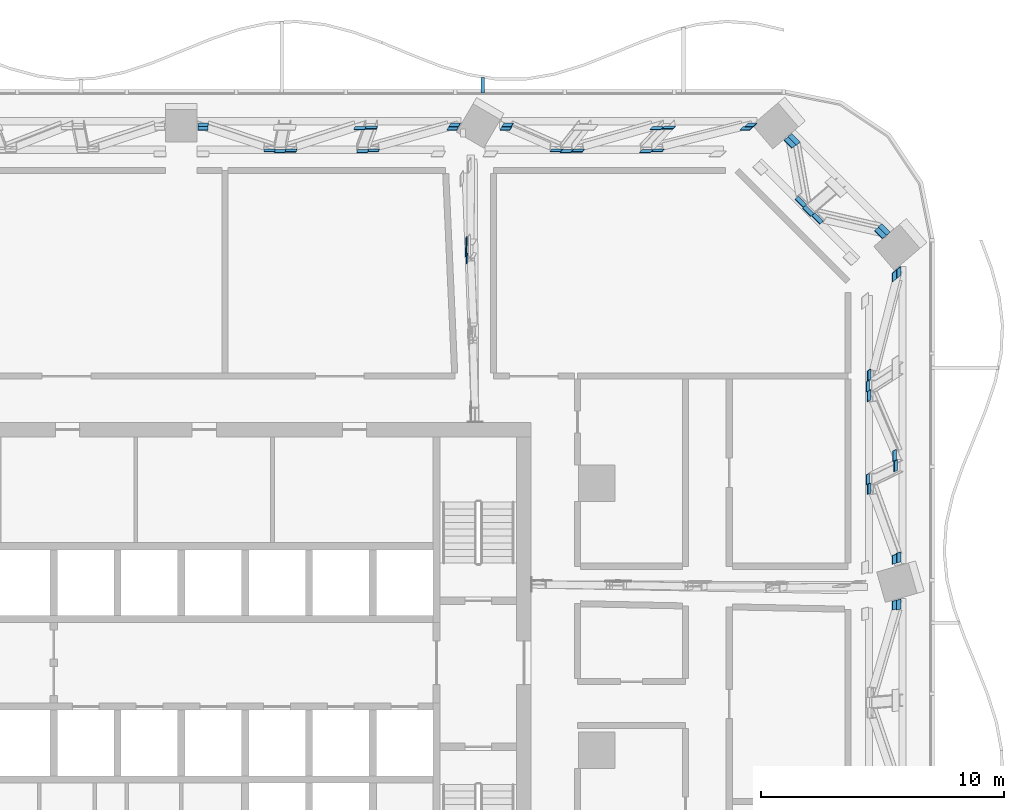
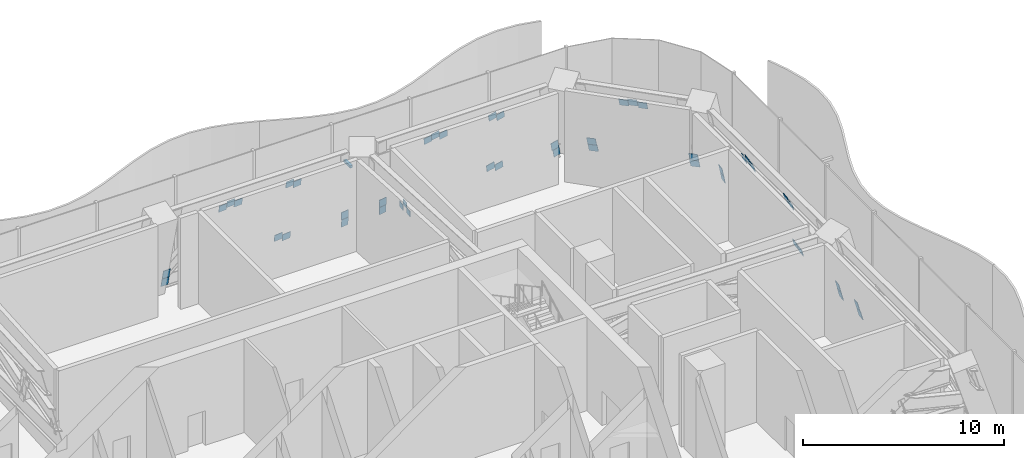
# One storey, part 25 of 32: 46 discrete accessories.
"""IFC4 building model written with IfcOpenShell, lengths in metres."""

from ifc_helpers import new_model, si_unit, direction, frame, origin, origin_2d, place, context, subcontext, project, spatial, rectangle, extrude, material, layer, layer_set, type_object, element, save


model = new_model("IFC4")

# Units and contexts
model_context = context("Model", 3, precision=1e-05, world=origin(), true_north=direction((0.0, 1.0)))
body_context = subcontext(model_context, "Body", "Model", "MODEL_VIEW")
ifc_project = project(units=[si_unit("LENGTHUNIT", "METRE"), si_unit("AREAUNIT", "SQUARE_METRE"), si_unit("VOLUMEUNIT", "CUBIC_METRE"), si_unit("PLANEANGLEUNIT", "RADIAN"), si_unit("MASSUNIT", "GRAM", prefix="KILO")], contexts=[model_context])

# Site, building, storey
site_placement = place(None, origin())
site = spatial("IfcSite", under=ifc_project, at=site_placement, CompositionType="ELEMENT")
building_placement = place(site_placement, origin())
building = spatial("IfcBuilding", under=site, at=building_placement, Name="Mopane Tessera Tower", CompositionType="ELEMENT")
storey_placement = place(building_placement, frame((0.0, 0.0, 88.60009765625)))
storey = spatial("IfcBuildingStorey", under=building, at=storey_placement, Name="L17", CompositionType="ELEMENT", Elevation=88.60009765625)

# Discrete accessories
ifc_material_1 = material(Name="Stainless steel S316", Category="steel")
discrete_accessory_type_1 = type_object("IfcDiscreteAccessoryType", Name="Louvre bracket 150 x 150", PredefinedType="BRACKET", material=ifc_material_1)
discrete_accessory_1_placement = place(storey_placement, frame((12.39990234375, 27.377685546875, 2.489990234375), z_axis=(0.0, 0.0, 1.0), x_axis=(0.0, 1.0, 0.0)))
element("IfcDiscreteAccessory", 1, at=discrete_accessory_1_placement, inside=storey, type_object=discrete_accessory_type_1, Name="e:lv:L17:N:0:br1", PredefinedType="BRACKET", context=body_context, shape_type="SweptSolid", body=[
    extrude(rectangle(XDim=0.635498046875, YDim=0.14990234375, at=origin_2d()), origin(), (0.0, 0.0, 1.0), 0.14990234375),
])
ifc_material_2 = material(Name="Structural steel S460", Category="steel")
ifc_layer = layer(ifc_material_2, 0.030029296875)
ifc_layer_set = layer_set([ifc_layer], Name="Structural steel S460")
discrete_accessory_type_2 = type_object("IfcDiscreteAccessoryType", Name="Truss node plate 30 mm", PredefinedType="BRACKET", material=ifc_layer_set)
discrete_accessory_2_placement = place(storey_placement, frame((11.7666015625, 20.266357421875, 3.978515625), z_axis=(-0.084815192245, -0.144838251373, 0.985813503713), x_axis=(-0.996386637709, 0.007882450032, -0.084566749831)))
element("IfcDiscreteAccessory", 2, at=discrete_accessory_2_placement, inside=storey, type_object=discrete_accessory_type_2, Name="Truss node plate s ot L17 N1 7", PredefinedType="BRACKET", context=body_context, shape_type="SweptSolid", body=[
    extrude(rectangle(XDim=0.030029296875, YDim=0.368896484375, at=origin_2d()), origin(), (0.0, 0.0, 1.0), 0.374267578125),
])
discrete_accessory_3_placement = place(storey_placement, frame((11.72412109375, 20.552490234375, 4.357421875), z_axis=(-0.088605346701, -0.151801807216, 0.984431462247), x_axis=(-0.996049690912, 0.0077087449, -0.088462356322)))
element("IfcDiscreteAccessory", 3, at=discrete_accessory_3_placement, inside=storey, type_object=discrete_accessory_type_2, Name="Truss node plate s ot L17 N1 9", PredefinedType="BRACKET", context=body_context, shape_type="SweptSolid", body=[
    extrude(rectangle(XDim=0.030029296875, YDim=0.368896484375, at=origin_2d()), origin(), (0.0, 0.0, 1.0), 0.374755859375),
])
discrete_accessory_4_placement = place(storey_placement, frame((11.750732421875, 20.94677734375, 3.9736328125), z_axis=(-0.092868037323, -0.159294480686, 0.982853395002), x_axis=(-0.99565789931, 0.00851885629, -0.092697230969)))
element("IfcDiscreteAccessory", 4, at=discrete_accessory_4_placement, inside=storey, type_object=discrete_accessory_type_2, Name="Truss node plate s ot L17 N1 10", PredefinedType="BRACKET", context=body_context, shape_type="SweptSolid", body=[
    extrude(rectangle(XDim=0.030029296875, YDim=0.3720703125, at=origin_2d()), origin(), (0.0, 0.0, 1.0), 0.378662109375),
])
discrete_accessory_5_placement = place(storey_placement, frame((29.599365234375, 6.01806640625, 0.117431640625), z_axis=(-0.279509732978, -0.068665685847, 0.95768435967), x_axis=(-0.960142816393, 0.020285656239, -0.278772782532)))
element("IfcDiscreteAccessory", 5, at=discrete_accessory_5_placement, inside=storey, type_object=discrete_accessory_type_2, Name="Truss node plate s bt L17 E1-E2 12", PredefinedType="BRACKET", context=body_context, shape_type="SweptSolid", body=[
    extrude(rectangle(XDim=0.030029296875, YDim=0.403564453125, at=origin_2d()), origin(), (0.0, 0.0, 1.0), 0.6044921875),
])
discrete_accessory_6_placement = place(storey_placement, frame((29.427490234375, 5.997314453125, 0.706298828125), z_axis=(-0.279393886163, -0.06904097476, 0.957691182051), x_axis=(-0.960176546557, 0.019844248642, -0.278688365809)))
element("IfcDiscreteAccessory", 6, at=discrete_accessory_6_placement, inside=storey, type_object=discrete_accessory_type_2, Name="Truss node plate s bt L17 E1-E2 13", PredefinedType="BRACKET", context=body_context, shape_type="SweptSolid", body=[
    extrude(rectangle(XDim=0.030029296875, YDim=0.360595703125, at=origin_2d()), origin(), (0.0, 0.0, 1.0), 0.604736328125),
])
discrete_accessory_7_placement = place(storey_placement, frame((29.427978515625, 7.888916015625, 0.704345703125), z_axis=(-0.278788808288, -0.090494766009, 0.956079231915), x_axis=(-0.960352428845, 0.026387708143, -0.277537207004)))
element("IfcDiscreteAccessory", 7, at=discrete_accessory_7_placement, inside=storey, type_object=discrete_accessory_type_2, Name="Truss node plate s bt L17 E2-E3 0", PredefinedType="BRACKET", context=body_context, shape_type="SweptSolid", body=[
    extrude(rectangle(XDim=0.030029296875, YDim=0.367919921875, at=origin_2d()), origin(), (0.0, 0.0, 1.0), 0.6015625),
])
discrete_accessory_8_placement = place(storey_placement, frame((29.5986328125, 7.962158203125, 0.119384765625), z_axis=(-0.278886741167, -0.09093250367, 0.956009134568), x_axis=(-0.960323839916, 0.025832219806, -0.277688348529)))
element("IfcDiscreteAccessory", 8, at=discrete_accessory_8_placement, inside=storey, type_object=discrete_accessory_type_2, Name="Truss node plate s bt L17 E2-E3 1", PredefinedType="BRACKET", context=body_context, shape_type="SweptSolid", body=[
    extrude(rectangle(XDim=0.030029296875, YDim=0.403564453125, at=origin_2d()), origin(), (0.0, 0.0, 1.0), 0.601318359375),
])
discrete_accessory_9_placement = place(storey_placement, frame((28.36669921875, 10.79736328125, 4.34326171875), z_axis=(-0.277432944586, -0.128962970335, 0.952050163353), x_axis=(-0.960745001671, 0.037183736039, -0.27492983021)))
element("IfcDiscreteAccessory", 9, at=discrete_accessory_9_placement, inside=storey, type_object=discrete_accessory_type_2, Name="Truss node plate s bt L17 E2-E3 3", PredefinedType="BRACKET", context=body_context, shape_type="SweptSolid", body=[
    extrude(rectangle(XDim=0.030029296875, YDim=0.428955078125, at=origin_2d()), origin(), (0.0, 0.0, 1.0), 0.450439453125),
])
discrete_accessory_10_placement = place(storey_placement, frame((29.460205078125, 11.74365234375, 0.59423828125), z_axis=(-0.277605226715, -0.134308052544, 0.951260576878), x_axis=(-0.96069482417, 0.037892234795, -0.275008424153)))
element("IfcDiscreteAccessory", 10, at=discrete_accessory_10_placement, inside=storey, type_object=discrete_accessory_type_2, Name="Truss node plate s bt L17 E2-E3 4", PredefinedType="BRACKET", context=body_context, shape_type="SweptSolid", body=[
    extrude(rectangle(XDim=0.030029296875, YDim=0.439208984375, at=origin_2d()), origin(), (0.0, 0.0, 1.0), 0.461669921875),
])
discrete_accessory_11_placement = place(storey_placement, frame((28.314697265625, 11.190673828125, 4.521484375), z_axis=(-0.277235213041, -0.134285806317, 0.951371619753), x_axis=(-0.960801201907, 0.037408951728, -0.274702786197)))
element("IfcDiscreteAccessory", 11, at=discrete_accessory_11_placement, inside=storey, type_object=discrete_accessory_type_2, Name="Truss node plate s bt L17 E2-E3 5", PredefinedType="BRACKET", context=body_context, shape_type="SweptSolid", body=[
    extrude(rectangle(XDim=0.030029296875, YDim=0.428955078125, at=origin_2d()), origin(), (0.0, 0.0, 1.0), 0.450927734375),
])
discrete_accessory_12_placement = place(storey_placement, frame((29.411376953125, 12.16748046875, 0.761474609375), z_axis=(-0.277424823671, -0.138976625953, 0.950642395778), x_axis=(-0.960747335745, 0.04029058933, -0.274483561019)))
element("IfcDiscreteAccessory", 12, at=discrete_accessory_12_placement, inside=storey, type_object=discrete_accessory_type_2, Name="Truss node plate s bt L17 E2-E3 6", PredefinedType="BRACKET", context=body_context, shape_type="SweptSolid", body=[
    extrude(rectangle(XDim=0.030029296875, YDim=0.439208984375, at=origin_2d()), origin(), (0.0, 0.0, 1.0), 0.4619140625),
])
discrete_accessory_13_placement = place(storey_placement, frame((28.364990234375, 14.63818359375, 4.34912109375), z_axis=(-0.275873409374, -0.173931616196, 0.945326216122), x_axis=(-0.961193930353, 0.049612922899, -0.271375728714)))
element("IfcDiscreteAccessory", 13, at=discrete_accessory_13_placement, inside=storey, type_object=discrete_accessory_type_2, Name="Truss node plate s bt L17 E2-E3 7", PredefinedType="BRACKET", context=body_context, shape_type="SweptSolid", body=[
    extrude(rectangle(XDim=0.030029296875, YDim=0.439208984375, at=origin_2d()), origin(), (0.0, 0.0, 1.0), 0.464599609375),
])
discrete_accessory_14_placement = place(storey_placement, frame((28.314697265625, 15.03369140625, 4.521484375), z_axis=(-0.275249643643, -0.17901978776, 0.944557859141), x_axis=(-0.961371923529, 0.04993885159, -0.270684568735)))
element("IfcDiscreteAccessory", 14, at=discrete_accessory_14_placement, inside=storey, type_object=discrete_accessory_type_2, Name="Truss node plate s bt L17 E2-E3 9", PredefinedType="BRACKET", context=body_context, shape_type="SweptSolid", body=[
    extrude(rectangle(XDim=0.030029296875, YDim=0.428955078125, at=origin_2d()), origin(), (0.0, 0.0, 1.0), 0.4541015625),
])
discrete_accessory_15_placement = place(storey_placement, frame((28.36669921875, 15.485595703125, 4.34326171875), z_axis=(-0.275008328131, -0.183696969181, 0.943729751026), x_axis=(-0.961441359005, 0.05155821215, -0.27013378899)))
element("IfcDiscreteAccessory", 15, at=discrete_accessory_15_placement, inside=storey, type_object=discrete_accessory_type_2, Name="Truss node plate s bt L17 E2-E3 10", PredefinedType="BRACKET", context=body_context, shape_type="SweptSolid", body=[
    extrude(rectangle(XDim=0.030029296875, YDim=0.428955078125, at=origin_2d()), origin(), (0.0, 0.0, 1.0), 0.45458984375),
])
discrete_accessory_16_placement = place(storey_placement, frame((29.5986328125, 19.73046875, 0.119384765625), z_axis=(-0.273167835843, -0.220283815221, 0.936405026798), x_axis=(-0.961966388342, 0.062588078691, -0.265901109637)))
element("IfcDiscreteAccessory", 16, at=discrete_accessory_16_placement, inside=storey, type_object=discrete_accessory_type_2, Name="Truss node plate s bt L17 E2-E3 12", PredefinedType="BRACKET", context=body_context, shape_type="SweptSolid", body=[
    extrude(rectangle(XDim=0.030029296875, YDim=0.37158203125, at=origin_2d()), origin(), (0.0, 0.0, 1.0), 0.614013671875),
])
discrete_accessory_17_placement = place(storey_placement, frame((29.427978515625, 19.5947265625, 0.704345703125), z_axis=(-0.273066160465, -0.220201823723, 0.936453965146), x_axis=(-0.961995249969, 0.062611506351, -0.265791155437)))
element("IfcDiscreteAccessory", 17, at=discrete_accessory_17_placement, inside=storey, type_object=discrete_accessory_type_2, Name="Truss node plate s bt L17 E2-E3 13", PredefinedType="BRACKET", context=body_context, shape_type="SweptSolid", body=[
    extrude(rectangle(XDim=0.030029296875, YDim=0.367919921875, at=origin_2d()), origin(), (0.0, 0.0, 1.0), 0.6142578125),
])
discrete_accessory_18_placement = place(storey_placement, frame((28.847900390625, 21.35205078125, 0.673095703125), z_axis=(-0.272474209673, -0.233358825576, 0.933435302305), x_axis=(-0.65314566036, -0.667510467534, -0.35753394536)))
element("IfcDiscreteAccessory", 18, at=discrete_accessory_18_placement, inside=storey, type_object=discrete_accessory_type_2, Name="Truss node plate s bt L17 E3-N0 0", PredefinedType="BRACKET", context=body_context, shape_type="SweptSolid", body=[
    extrude(rectangle(XDim=0.030029296875, YDim=0.468505859375, at=origin_2d()), origin(), (0.0, 0.0, 1.0), 0.54931640625),
])
discrete_accessory_19_placement = place(storey_placement, frame((28.99267578125, 21.490234375, 0.150634765625), z_axis=(-0.272062642078, -0.23338707041, 0.933548281639), x_axis=(-0.652692412918, -0.668110469881, -0.357240834949)))
element("IfcDiscreteAccessory", 19, at=discrete_accessory_19_placement, inside=storey, type_object=discrete_accessory_type_2, Name="Truss node plate s bt L17 E3-N0 1", PredefinedType="BRACKET", context=body_context, shape_type="SweptSolid", body=[
    extrude(rectangle(XDim=0.030029296875, YDim=0.489990234375, at=origin_2d()), origin(), (0.0, 0.0, 1.0), 0.549072265625),
])
for number, where, z_axis, x_axis, name in (
    (20, (26.25048828125, 21.941162109375, 4.380615234375), (-0.272022378243, -0.233501726779, 0.933531343516), (-0.652468533197, -0.668305609361, -0.357284796324), "Truss node plate s bt L17 E3-N0 3"),
    (21, (25.870849609375, 22.25830078125, 4.496337890625), (-0.272022378243, -0.233501726779, 0.933531343516), (-0.652468533197, -0.668305609361, -0.357284796324), "Truss node plate s bt L17 E3-N0 5"),
    (22, (25.55859375, 22.633056640625, 4.380615234375), (-0.27246266647, -0.233471499541, 0.933410496128), (-0.652953692211, -0.667663805199, -0.357598264895), "Truss node plate s bt L17 E3-N0 6"),
):
    element("IfcDiscreteAccessory", number, at=place(storey_placement, frame(where, z_axis=z_axis, x_axis=x_axis)), inside=storey, type_object=discrete_accessory_type_2, Name=name, PredefinedType="BRACKET", context=body_context, shape_type="SweptSolid", body=[
        extrude(rectangle(XDim=0.030029296875, YDim=0.479248046875, at=origin_2d()), origin(), (0.0, 0.0, 1.0), 0.513427734375),
    ])
discrete_accessory_20_placement = place(storey_placement, frame((25.283935546875, 25.198974609375, 0.150634765625), z_axis=(-0.272062642078, -0.23338707041, 0.933548281639), x_axis=(-0.652692412918, -0.668110469881, -0.357240834949)))
element("IfcDiscreteAccessory", 23, at=discrete_accessory_20_placement, inside=storey, type_object=discrete_accessory_type_2, Name="Truss node plate s bt L17 E3-N0 7", PredefinedType="BRACKET", context=body_context, shape_type="SweptSolid", body=[
    extrude(rectangle(XDim=0.030029296875, YDim=0.489990234375, at=origin_2d()), origin(), (0.0, 0.0, 1.0), 0.549072265625),
])
discrete_accessory_21_placement = place(storey_placement, frame((25.1240234375, 25.075927734375, 0.673095703125), z_axis=(-0.272062642078, -0.23338707041, 0.933548281639), x_axis=(-0.652692412918, -0.668110469881, -0.357240834949)))
element("IfcDiscreteAccessory", 24, at=discrete_accessory_21_placement, inside=storey, type_object=discrete_accessory_type_2, Name="Truss node plate s bt L17 E3-N0 9", PredefinedType="BRACKET", context=body_context, shape_type="SweptSolid", body=[
    extrude(rectangle(XDim=0.030029296875, YDim=0.468505859375, at=origin_2d()), origin(), (0.0, 0.0, 1.0), 0.549072265625),
])
discrete_accessory_22_placement = place(storey_placement, frame((23.514892578125, 25.80029296875, 0.1328125), z_axis=(-0.259580929663, -0.234123635918, 0.936911876357), x_axis=(0.062172614904, -0.972206771361, -0.225717876287)))
element("IfcDiscreteAccessory", 25, at=discrete_accessory_22_placement, inside=storey, type_object=discrete_accessory_type_2, Name="Truss node plate s bt L17 N0-N1 0", PredefinedType="BRACKET", context=body_context, shape_type="SweptSolid", body=[
    extrude(rectangle(XDim=0.030029296875, YDim=0.372314453125, at=origin_2d()), origin(), (0.0, 0.0, 1.0), 0.5849609375),
])
discrete_accessory_23_placement = place(storey_placement, frame((23.33837890625, 25.66064453125, 0.69091796875), z_axis=(-0.259191654575, -0.234148982635, 0.937013308406), x_axis=(0.062425625308, -0.972200727181, -0.225674073333)))
element("IfcDiscreteAccessory", 26, at=discrete_accessory_23_placement, inside=storey, type_object=discrete_accessory_type_2, Name="Truss node plate s bt L17 N0-N1 1", PredefinedType="BRACKET", context=body_context, shape_type="SweptSolid", body=[
    extrude(rectangle(XDim=0.030029296875, YDim=0.416259765625, at=origin_2d()), origin(), (0.0, 0.0, 1.0), 0.5849609375),
])
discrete_accessory_24_placement = place(storey_placement, frame((19.66357421875, 24.743896484375, 4.3583984375), z_axis=(-0.229932835172, -0.236037246725, 0.944148986902), x_axis=(0.056309246774, -0.971743900392, -0.22922273181)))
element("IfcDiscreteAccessory", 27, at=discrete_accessory_24_placement, inside=storey, type_object=discrete_accessory_type_2, Name="Truss node plate s bt L17 N0-N1 3", PredefinedType="BRACKET", context=body_context, shape_type="SweptSolid", body=[
    extrude(rectangle(XDim=0.030029296875, YDim=0.453125, at=origin_2d()), origin(), (0.0, 0.0, 1.0), 0.47998046875),
])
discrete_accessory_25_placement = place(storey_placement, frame((20.121826171875, 25.68798828125, 0.581787109375), z_axis=(-0.225246750388, -0.236185886168, 0.945240778117), x_axis=(0.054473026475, -0.971707852773, -0.229818489781)))
element("IfcDiscreteAccessory", 28, at=discrete_accessory_25_placement, inside=storey, type_object=discrete_accessory_type_2, Name="Truss node plate s bt L17 N0-N1 4", PredefinedType="BRACKET", context=body_context, shape_type="SweptSolid", body=[
    extrude(rectangle(XDim=0.030029296875, YDim=0.464111328125, at=origin_2d()), origin(), (0.0, 0.0, 1.0), 0.490966796875),
])
discrete_accessory_26_placement = place(storey_placement, frame((19.18603515625, 24.7060546875, 4.50927734375), z_axis=(-0.225106363988, -0.236310753146, 0.945243012584), x_axis=(0.055030987681, -0.971677491083, -0.229813932817)))
element("IfcDiscreteAccessory", 29, at=discrete_accessory_26_placement, inside=storey, type_object=discrete_accessory_type_2, Name="Truss node plate s bt L17 N0-N1 5", PredefinedType="BRACKET", context=body_context, shape_type="SweptSolid", body=[
    extrude(rectangle(XDim=0.030029296875, YDim=0.453125, at=origin_2d()), origin(), (0.0, 0.0, 1.0), 0.4794921875),
])
discrete_accessory_27_placement = place(storey_placement, frame((19.616943359375, 25.65380859375, 0.718994140625), z_axis=(-0.220518806843, -0.236447930588, 0.946289507471), x_axis=(0.05263457741, -0.971643619697, -0.230517412711)))
element("IfcDiscreteAccessory", 30, at=discrete_accessory_27_placement, inside=storey, type_object=discrete_accessory_type_2, Name="Truss node plate s bt L17 N0-N1 6", PredefinedType="BRACKET", context=body_context, shape_type="SweptSolid", body=[
    extrude(rectangle(XDim=0.030029296875, YDim=0.464111328125, at=origin_2d()), origin(), (0.0, 0.0, 1.0), 0.490478515625),
])
discrete_accessory_28_placement = place(storey_placement, frame((16.36767578125, 24.74169921875, 4.36669921875), z_axis=(-0.193279927083, -0.237844469857, 0.951878604626), x_axis=(0.046761662262, -0.971303089808, -0.233203033154)))
element("IfcDiscreteAccessory", 31, at=discrete_accessory_28_placement, inside=storey, type_object=discrete_accessory_type_2, Name="Truss node plate s bt L17 N0-N1 7", PredefinedType="BRACKET", context=body_context, shape_type="SweptSolid", body=[
    extrude(rectangle(XDim=0.030029296875, YDim=0.464111328125, at=origin_2d()), origin(), (0.0, 0.0, 1.0), 0.487548828125),
])
discrete_accessory_29_placement = place(storey_placement, frame((15.8876953125, 24.7060546875, 4.50927734375), z_axis=(-0.187902738225, -0.238215493269, 0.952861973076), x_axis=(0.046385430543, -0.971212279649, -0.233655942984)))
element("IfcDiscreteAccessory", 32, at=discrete_accessory_29_placement, inside=storey, type_object=discrete_accessory_type_2, Name="Truss node plate s bt L17 N0-N1 9", PredefinedType="BRACKET", context=body_context, shape_type="SweptSolid", body=[
    extrude(rectangle(XDim=0.030029296875, YDim=0.453125, at=origin_2d()), origin(), (0.0, 0.0, 1.0), 0.4755859375),
])
discrete_accessory_30_placement = place(storey_placement, frame((15.475830078125, 24.743896484375, 4.3583984375), z_axis=(-0.182942937712, -0.238442480614, 0.953769922455), x_axis=(0.044999912522, -0.97115661801, -0.234157705764)))
element("IfcDiscreteAccessory", 33, at=discrete_accessory_30_placement, inside=storey, type_object=discrete_accessory_type_2, Name="Truss node plate s bt L17 N0-N1 10", PredefinedType="BRACKET", context=body_context, shape_type="SweptSolid", body=[
    extrude(rectangle(XDim=0.030029296875, YDim=0.453125, at=origin_2d()), origin(), (0.0, 0.0, 1.0), 0.47509765625),
])
discrete_accessory_31_placement = place(storey_placement, frame((13.398681640625, 25.66064453125, 0.69091796875), z_axis=(-0.152055103728, -0.239614924695, 0.958886819856), x_axis=(0.038205989264, -0.970867778637, -0.236550330351)))
element("IfcDiscreteAccessory", 34, at=discrete_accessory_31_placement, inside=storey, type_object=discrete_accessory_type_2, Name="Truss node plate s bt L17 N0-N1 12", PredefinedType="BRACKET", context=body_context, shape_type="SweptSolid", body=[
    extrude(rectangle(XDim=0.030029296875, YDim=0.416259765625, at=origin_2d()), origin(), (0.0, 0.0, 1.0), 0.571533203125),
])
discrete_accessory_32_placement = place(storey_placement, frame((13.474365234375, 25.80029296875, 0.1328125), z_axis=(-0.152055103728, -0.239614924695, 0.958886819856), x_axis=(0.037756363596, -0.97086798147, -0.236621680251)))
element("IfcDiscreteAccessory", 35, at=discrete_accessory_32_placement, inside=storey, type_object=discrete_accessory_type_2, Name="Truss node plate s bt L17 N0-N1 13", PredefinedType="BRACKET", context=body_context, shape_type="SweptSolid", body=[
    extrude(rectangle(XDim=0.030029296875, YDim=0.390380859375, at=origin_2d()), origin(), (0.0, 0.0, 1.0), 0.571533203125),
])
discrete_accessory_33_placement = place(storey_placement, frame((11.287109375, 25.801025390625, 0.1298828125), z_axis=(-0.127999107731, -0.24074004368, 0.96211249851), x_axis=(0.031804946472, -0.970589629187, -0.238629874689)))
element("IfcDiscreteAccessory", 36, at=discrete_accessory_33_placement, inside=storey, type_object=discrete_accessory_type_2, Name="Truss node plate s bt L17 N1-N2 0", PredefinedType="BRACKET", context=body_context, shape_type="SweptSolid", body=[
    extrude(rectangle(XDim=0.030029296875, YDim=0.390380859375, at=origin_2d()), origin(), (0.0, 0.0, 1.0), 0.575927734375),
])
discrete_accessory_34_placement = place(storey_placement, frame((11.204345703125, 25.659912109375, 0.694091796875), z_axis=(-0.128012158594, -0.240340708354, 0.962210596055), x_axis=(0.030761397295, -0.970688161616, -0.238365746984)))
element("IfcDiscreteAccessory", 37, at=discrete_accessory_34_placement, inside=storey, type_object=discrete_accessory_type_2, Name="Truss node plate s bt L17 N1-N2 1", PredefinedType="BRACKET", context=body_context, shape_type="SweptSolid", body=[
    extrude(rectangle(XDim=0.030029296875, YDim=0.40576171875, at=origin_2d()), origin(), (0.0, 0.0, 1.0), 0.575927734375),
])
discrete_accessory_35_placement = place(storey_placement, frame((7.9326171875, 24.744873046875, 4.354736328125), z_axis=(-0.094732827198, -0.241568709355, 0.965748543935), x_axis=(0.024612727269, -0.970383197722, -0.240313676755)))
element("IfcDiscreteAccessory", 38, at=discrete_accessory_35_placement, inside=storey, type_object=discrete_accessory_type_2, Name="Truss node plate s bt L17 N1-N2 3", PredefinedType="BRACKET", context=body_context, shape_type="SweptSolid", body=[
    extrude(rectangle(XDim=0.030029296875, YDim=0.447998046875, at=origin_2d()), origin(), (0.0, 0.0, 1.0), 0.4638671875),
])
discrete_accessory_36_placement = place(storey_placement, frame((7.846435546875, 25.687255859375, 0.58447265625), z_axis=(-0.089995682221, -0.241188428352, 0.966296496532), x_axis=(0.021085354344, -0.970477502845, -0.240268234073)))
element("IfcDiscreteAccessory", 39, at=discrete_accessory_36_placement, inside=storey, type_object=discrete_accessory_type_2, Name="Truss node plate s bt L17 N1-N2 4", PredefinedType="BRACKET", context=body_context, shape_type="SweptSolid", body=[
    extrude(rectangle(XDim=0.030029296875, YDim=0.458740234375, at=origin_2d()), origin(), (0.0, 0.0, 1.0), 0.474853515625),
])
discrete_accessory_37_placement = place(storey_placement, frame((7.4814453125, 24.70556640625, 4.511962890625), z_axis=(-0.089513292067, -0.24168588858, 0.966217005545), x_axis=(0.023467724819, -0.970353866002, -0.240546545654)))
element("IfcDiscreteAccessory", 40, at=discrete_accessory_37_placement, inside=storey, type_object=discrete_accessory_type_2, Name="Truss node plate s bt L17 N1-N2 5", PredefinedType="BRACKET", context=body_context, shape_type="SweptSolid", body=[
    extrude(rectangle(XDim=0.030029296875, YDim=0.447998046875, at=origin_2d()), origin(), (0.0, 0.0, 1.0), 0.463623046875),
])
discrete_accessory_38_placement = place(storey_placement, frame((7.365966796875, 25.6513671875, 0.728515625), z_axis=(-0.084369942934, -0.241791909627, 0.966653187637), x_axis=(0.021547269623, -0.970327992204, -0.240830443916)))
element("IfcDiscreteAccessory", 41, at=discrete_accessory_38_placement, inside=storey, type_object=discrete_accessory_type_2, Name="Truss node plate s bt L17 N1-N2 6", PredefinedType="BRACKET", context=body_context, shape_type="SweptSolid", body=[
    extrude(rectangle(XDim=0.030029296875, YDim=0.458740234375, at=origin_2d()), origin(), (0.0, 0.0, 1.0), 0.474609375),
])
discrete_accessory_39_placement = place(storey_placement, frame((4.5224609375, 24.742919921875, 4.362548828125), z_axis=(-0.054131147764, -0.242301328088, 0.968689777611), x_axis=(0.014352428984, -0.970200706232, -0.241877236235)))
element("IfcDiscreteAccessory", 42, at=discrete_accessory_39_placement, inside=storey, type_object=discrete_accessory_type_2, Name="Truss node plate s bt L17 N1-N2 7", PredefinedType="BRACKET", context=body_context, shape_type="SweptSolid", body=[
    extrude(rectangle(XDim=0.030029296875, YDim=0.458740234375, at=origin_2d()), origin(), (0.0, 0.0, 1.0), 0.4736328125),
])
discrete_accessory_40_placement = place(storey_placement, frame((4.068115234375, 24.70556640625, 4.511962890625), z_axis=(-0.049107090182, -0.242367251546, 0.968940972955), x_axis=(0.01175221749, -0.970184448755, -0.242082673434)))
element("IfcDiscreteAccessory", 43, at=discrete_accessory_40_placement, inside=storey, type_object=discrete_accessory_type_2, Name="Truss node plate s bt L17 N1-N2 9", PredefinedType="BRACKET", context=body_context, shape_type="SweptSolid", body=[
    extrude(rectangle(XDim=0.030029296875, YDim=0.447998046875, at=origin_2d()), origin(), (0.0, 0.0, 1.0), 0.46240234375),
])
discrete_accessory_41_placement = place(storey_placement, frame((3.639404296875, 24.744873046875, 4.354736328125), z_axis=(-0.043837515232, -0.242426740864, 0.969178800621), x_axis=(0.010575111225, -0.970169644861, -0.242196257635)))
element("IfcDiscreteAccessory", 44, at=discrete_accessory_41_placement, inside=storey, type_object=discrete_accessory_type_2, Name="Truss node plate s bt L17 N1-N2 10", PredefinedType="BRACKET", context=body_context, shape_type="SweptSolid", body=[
    extrude(rectangle(XDim=0.030029296875, YDim=0.447998046875, at=origin_2d()), origin(), (0.0, 0.0, 1.0), 0.462158203125),
])
discrete_accessory_42_placement = place(storey_placement, frame((0.90234375, 25.801025390625, 0.1298828125), z_axis=(-0.010255942011, -0.242723960917, 0.970041181832), x_axis=(0.002837056043, -0.970095361136, -0.24270752237)))
element("IfcDiscreteAccessory", 45, at=discrete_accessory_42_placement, inside=storey, type_object=discrete_accessory_type_2, Name="Truss node plate s bt L17 N1-N2 12", PredefinedType="BRACKET", context=body_context, shape_type="SweptSolid", body=[
    extrude(rectangle(XDim=0.030029296875, YDim=0.4130859375, at=origin_2d()), origin(), (0.0, 0.0, 1.0), 0.5712890625),
])
discrete_accessory_43_placement = place(storey_placement, frame((0.892822265625, 25.659912109375, 0.694091796875), z_axis=(-0.010257005021, -0.242321743623, 0.970141724912), x_axis=(0.002587430327, -0.970195945132, -0.242307930644)))
element("IfcDiscreteAccessory", 46, at=discrete_accessory_43_placement, inside=storey, type_object=discrete_accessory_type_2, Name="Truss node plate s bt L17 N1-N2 13", PredefinedType="BRACKET", context=body_context, shape_type="SweptSolid", body=[
    extrude(rectangle(XDim=0.030029296875, YDim=0.40576171875, at=origin_2d()), origin(), (0.0, 0.0, 1.0), 0.5712890625),
])

save(model, "model.ifc")
